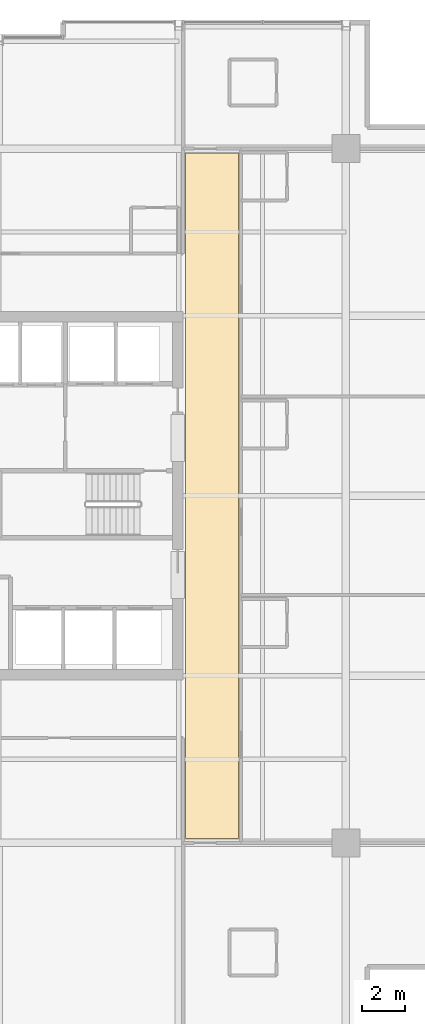
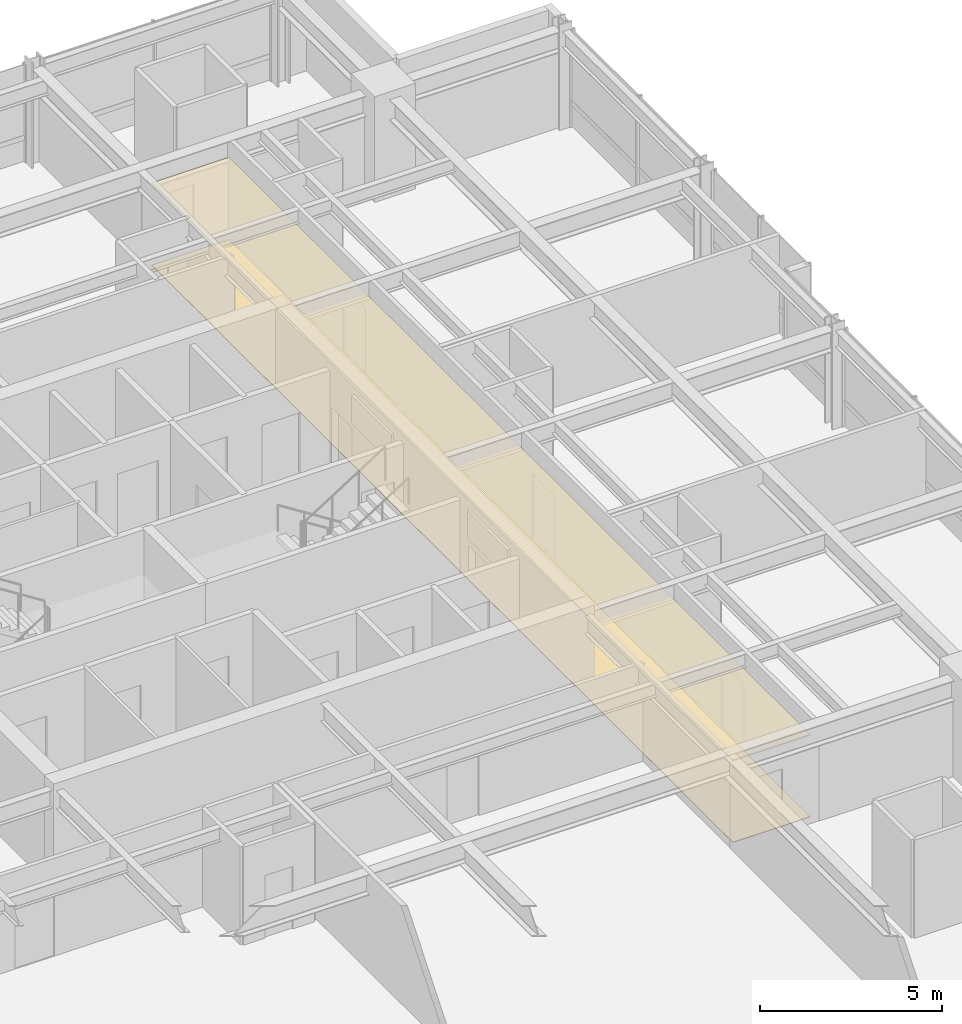
# One storey, part 32 of 32: 2 coverings.
"""IFC4 building model written with IfcOpenShell, lengths in metres."""

from ifc_helpers import new_model, si_unit, direction, frame, origin, place, context, subcontext, project, spatial, polyline, outline, extrude, material, layer, layer_set, type_object, element, save


model = new_model("IFC4")

# Units and contexts
model_context = context("Model", 3, precision=1e-05, world=origin(), true_north=direction((0.0, 1.0)))
body_context = subcontext(model_context, "Body", "Model", "MODEL_VIEW")
ifc_project = project(units=[si_unit("LENGTHUNIT", "METRE"), si_unit("AREAUNIT", "SQUARE_METRE"), si_unit("VOLUMEUNIT", "CUBIC_METRE"), si_unit("PLANEANGLEUNIT", "RADIAN"), si_unit("MASSUNIT", "GRAM", prefix="KILO")], contexts=[model_context])

# Site, building, storey
site_placement = place(None, origin())
site = spatial("IfcSite", under=ifc_project, at=site_placement, CompositionType="ELEMENT")
building_placement = place(site_placement, origin())
building = spatial("IfcBuilding", under=site, at=building_placement, Name="Drelvath Grand Hotel", CompositionType="ELEMENT")
storey_placement = place(building_placement, frame((0.0, 0.0, 164.60009765625)))
storey = spatial("IfcBuildingStorey", under=building, at=storey_placement, Name="L42", CompositionType="ELEMENT", Elevation=164.60009765625)

# Coverings
ifc_material_1 = material(Name="Woven Wool Broadloom Carpet")
ifc_layer_1 = layer(ifc_material_1, 0.01806640625)
ifc_layer_set_1 = layer_set([ifc_layer_1], Name="Woven Wool Broadloom Carpet")
covering_type_1 = type_object("IfcCoveringType", Name="Hospitality Broadloom Carpet 18", PredefinedType="FLOORING", material=ifc_layer_set_1)
covering_1_placement = place(storey_placement, origin())
element("IfcCovering", 1, at=covering_1_placement, inside=storey, type_object=covering_type_1, Name="L42 East Spine Carpet", PredefinedType="FLOORING", context=body_context, shape_type="SweptSolid", body=[
    extrude(outline(polyline([(11.179931640625, 11.0), (11.179931640625, 43.0), (8.719970703125, 43.0), (8.719970703125, 11.0), (11.179931640625, 11.0)])), origin(), (0.0, 0.0, 1.0), 0.017822265625),
])
ifc_material_2 = material(Name="Anodised Aluminium Alloy", Category="aluminium")
ifc_layer_2 = layer(ifc_material_2, 0.0400390625)
ifc_layer_set_2 = layer_set([ifc_layer_2], Name="Anodised Aluminium Alloy")
covering_type_2 = type_object("IfcCoveringType", Name="Perforated Metal Corridor Ceiling 40", PredefinedType="CEILING", material=ifc_layer_set_2)
covering_2_placement = place(storey_placement, frame((0.0, 0.0, 2.739990234375)))
element("IfcCovering", 2, at=covering_2_placement, inside=storey, type_object=covering_type_2, Name="L42 East Spine Ceiling", PredefinedType="CEILING", context=body_context, shape_type="SweptSolid", body=[
    extrude(outline(polyline([(11.179931640625, 11.0), (11.179931640625, 43.0), (8.719970703125, 43.0), (8.719970703125, 11.0), (11.179931640625, 11.0)])), origin(), (0.0, 0.0, 1.0), 0.039794921875),
])

save(model, "model.ifc")
